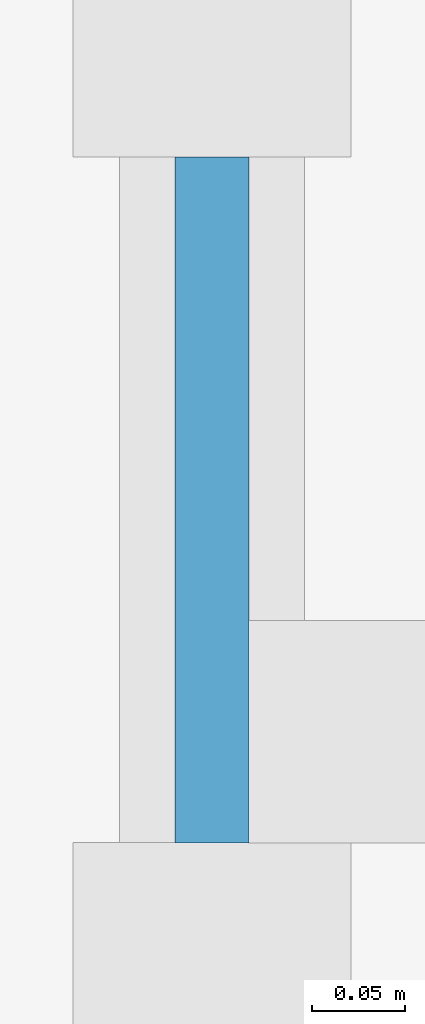
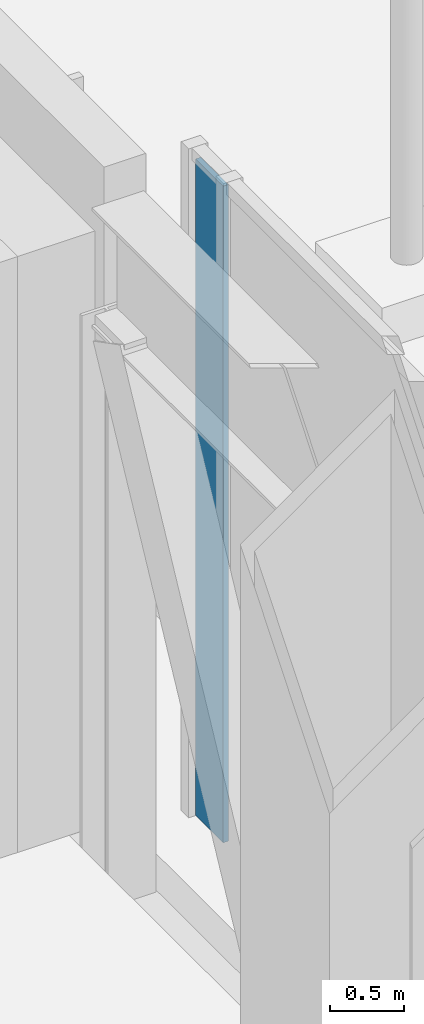
# One storey, part 19 of 39: 1 plate, 1 element without a shape of its own.
"""IFC4 building model written with IfcOpenShell, lengths in metres."""

from ifc_helpers import new_model, si_unit, direction, frame, origin, origin_2d, place, context, subcontext, project, spatial, rectangle, extrude, material, layer, layer_set, type_object, element, aggregate, save


model = new_model("IFC4")

# Units and contexts
model_context = context("Model", 3, precision=1e-05, world=origin(), true_north=direction((0.0, 1.0)))
body_context = subcontext(model_context, "Body", "Model", "MODEL_VIEW")
ifc_project = project(units=[si_unit("LENGTHUNIT", "METRE"), si_unit("AREAUNIT", "SQUARE_METRE"), si_unit("VOLUMEUNIT", "CUBIC_METRE"), si_unit("PLANEANGLEUNIT", "RADIAN"), si_unit("MASSUNIT", "GRAM", prefix="KILO")], contexts=[model_context])

# Site, building, storey
site_placement = place(None, origin())
site = spatial("IfcSite", under=ifc_project, at=site_placement, CompositionType="ELEMENT")
building_placement = place(site_placement, origin())
building = spatial("IfcBuilding", under=site, at=building_placement, Name="Cobrizo Arcos Hotel Tower", CompositionType="ELEMENT")
storey_placement = place(building_placement, frame((0.0, 0.0, 33.5)))
storey = spatial("IfcBuildingStorey", under=building, at=storey_placement, Name="L06", CompositionType="ELEMENT", Elevation=33.5)

# Curtain wall, plate
ifc_material_1 = material(Name="Aluminium 6063-T6 anodised bronze", Category="aluminium")
curtain_wall_type = type_object("IfcCurtainWallType", Name="CW-D plant louvre wall", PredefinedType="NOTDEFINED", material=ifc_material_1)
curtain_wall_placement = place(storey_placement, origin())
curtain_wall = element("IfcCurtainWall", 1, at=curtain_wall_placement, inside=storey, type_object=curtain_wall_type, Name="CW-D L06 E face", PredefinedType="NOTDEFINED")
ifc_material_2 = material(Name="Aluminium composite panel pale metal", Category="aluminium")
ifc_layer = layer(ifc_material_2, 0.06005859375)
ifc_layer_set = layer_set([ifc_layer], Name="CW-D spandrel panel")
plate_type = type_object("IfcPlateType", Name="CW-D spandrel panel", PredefinedType="CURTAIN_PANEL", material=ifc_layer_set)
plate_placement = place(storey_placement, frame((24.675048828125, -11.20947265625, 0.0), z_axis=(0.0, 0.0, 1.0), x_axis=(0.0, 1.0, 0.0)))
plate = element("IfcPlate", 2, at=plate_placement, type_object=plate_type, Name="CW-D insulated panel 336", PredefinedType="CURTAIN_PANEL", context=body_context, shape_type="SweptSolid", body=[
    extrude(rectangle(XDim=0.3701171875, YDim=0.0400390625, at=origin_2d()), origin(), (0.0, 0.0, 1.0), 5.39990234375),
])
aggregate(curtain_wall, [plate])

save(model, "model.ifc")
